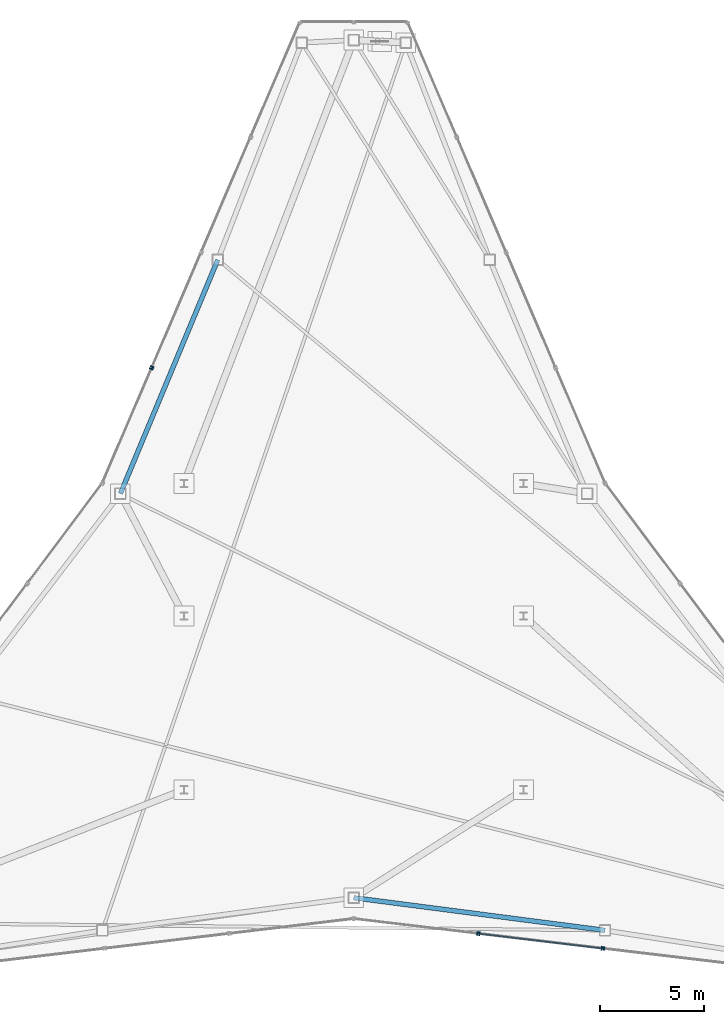
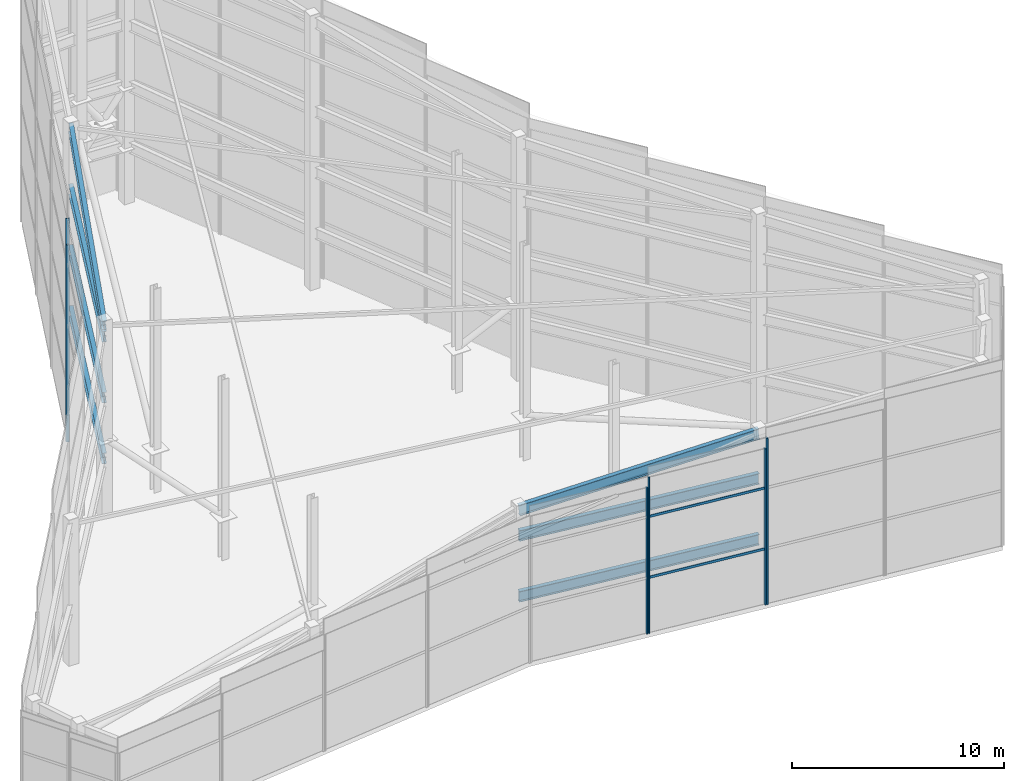
# One storey, part 8 of 17: 8 members, 7 beams, 5 elements without a shape of their own.
"""IFC4 building model written with IfcOpenShell, lengths in metres."""

from ifc_helpers import new_model, si_unit, direction, frame, origin, origin_2d, place, context, subcontext, project, spatial, rectangle, i_section, extrude, source, transform, mapped, material, layer, layer_set, material_profile, profile_set, type_object, type_shapes, element, aggregate, save


model = new_model("IFC4")

# Units and contexts
model_context = context("Model", 3, precision=1e-05, world=origin(), true_north=direction((0.0, 1.0)))
body_context = subcontext(model_context, "Body", "Model", "MODEL_VIEW")
ifc_project = project(units=[si_unit("LENGTHUNIT", "METRE"), si_unit("AREAUNIT", "SQUARE_METRE"), si_unit("VOLUMEUNIT", "CUBIC_METRE"), si_unit("PLANEANGLEUNIT", "RADIAN"), si_unit("MASSUNIT", "GRAM", prefix="KILO")], contexts=[model_context])

# Site, building, storey
site_placement = place(None, origin())
site = spatial("IfcSite", under=ifc_project, at=site_placement, CompositionType="ELEMENT")
building_placement = place(site_placement, origin())
building = spatial("IfcBuilding", under=site, at=building_placement, Name="Varakhsha Concourse Tower", CompositionType="ELEMENT")
storey_placement = place(building_placement, frame((0.0, 0.0, 294.800048828125)))
storey = spatial("IfcBuildingStorey", under=building, at=storey_placement, Name="RF", CompositionType="ELEMENT", Elevation=294.800048828125)

# Beams
ifc_material_1 = material(Name="Structural Steel ASTM A992 Grade 50", Category="steel")
ifc_material_profile_1 = material_profile(ifc_material_1, i_section(OverallWidth=0.22900390625, OverallDepth=0.612060546875, WebThickness=0.011962890625, FlangeThickness=0.02001953125, at=origin_2d()), Name="W24X84")
ifc_profile_set_1 = profile_set([ifc_material_profile_1], Name="Structural Steel ASTM A992 Grade 50")
beam_type = type_object("IfcBeamType", Name="BM-CROWN-W24X84", PredefinedType="BEAM", material=ifc_profile_set_1)
beam_1_placement = place(storey_placement, frame((33.43505859375, 42.008544921875, 13.771240234375), z_axis=(-0.373990719764, -0.898047228675, -0.231607678194), x_axis=(0.923148301278, -0.38444403214, 0.0)))
element("IfcBeam", 1, at=beam_1_placement, inside=storey, type_object=beam_type, Name="Crown Frame Sloped Cap Ring 04", PredefinedType="BEAM", context=body_context, shape_type="SweptSolid", body=[
    extrude(i_section(OverallWidth=0.22900390625, OverallDepth=0.612060546875, WebThickness=0.011962890625, FlangeThickness=0.02001953125, at=origin_2d()), origin(), (0.0, 0.0, 1.0), 12.583984375),
])
for number, where, z_axis, x_axis, name in (
    (2, (33.43505859375, 42.008544921875, 3.199951171875), (-0.38444403214, -0.923148301278, 0.0), (0.923148301278, -0.38444403214, 0.0), "Crown Frame Ring Tier 1 04"),
    (3, (33.43505859375, 42.008544921875, 6.699951171875), (-0.38444403214, -0.923148301278, 0.0), (0.923148301278, -0.38444403214, 0.0), "Crown Frame Ring Tier 2 04"),
    (4, (33.43505859375, 42.008544921875, 10.199951171875), (-0.38444403214, -0.923148301278, 0.0), (0.923148301278, -0.38444403214, 0.0), "Crown Frame Ring Tier 3 04"),
):
    element("IfcBeam", number, at=place(storey_placement, frame(where, z_axis=z_axis, x_axis=x_axis)), inside=storey, type_object=beam_type, Name=name, PredefinedType="BEAM", context=body_context, shape_type="SweptSolid", body=[
        extrude(i_section(OverallWidth=0.22900390625, OverallDepth=0.612060546875, WebThickness=0.011962890625, FlangeThickness=0.02001953125, at=origin_2d()), origin(), (0.0, 0.0, 1.0), 12.241943359375),
    ])
beam_2_placement = place(storey_placement, frame((40.0, 11.18505859375, 8.150634765625), z_axis=(0.987495070376, -0.128088790651, 0.091906189633), x_axis=(0.12863320886, 0.991692239346, 0.0)))
element("IfcBeam", 5, at=beam_2_placement, inside=storey, type_object=beam_type, Name="Crown Frame Sloped Cap Ring 11", PredefinedType="BEAM", context=body_context, shape_type="SweptSolid", body=[
    extrude(i_section(OverallWidth=0.22900390625, OverallDepth=0.612060546875, WebThickness=0.011962890625, FlangeThickness=0.02001953125, at=origin_2d()), origin(), (0.0, 0.0, 1.0), 12.2939453125),
])
for number, where, z_axis, x_axis, name in (
    (6, (40.0, 11.18505859375, 3.199951171875), (0.991692239346, -0.12863320886, 0.0), (0.12863320886, 0.991692239346, 0.0), "Crown Frame Ring Tier 1 11"),
    (7, (40.0, 11.18505859375, 6.699951171875), (0.991692239346, -0.12863320886, 0.0), (0.12863320886, 0.991692239346, 0.0), "Crown Frame Ring Tier 2 11"),
):
    element("IfcBeam", number, at=place(storey_placement, frame(where, z_axis=z_axis, x_axis=x_axis)), inside=storey, type_object=beam_type, Name=name, PredefinedType="BEAM", context=body_context, shape_type="SweptSolid", body=[
        extrude(i_section(OverallWidth=0.22900390625, OverallDepth=0.612060546875, WebThickness=0.011962890625, FlangeThickness=0.02001953125, at=origin_2d()), origin(), (0.0, 0.0, 1.0), 12.241943359375),
    ])

# Curtain wall, member
ifc_material_2 = material(Name="Anodised Bronze Architectural Aluminium AA 6063-T6", Category="aluminium")
ifc_layer = layer(ifc_material_2, 0.219970703125, Name="CW-SYS-07")
ifc_layer_set = layer_set([ifc_layer], Name="Anodised Bronze Architectural Aluminium AA 6063-T6")
curtain_wall_type = type_object("IfcCurtainWallType", Name="CW-SYS-07", PredefinedType="NOTDEFINED", material=ifc_layer_set)
curtain_wall_1_placement = place(storey_placement, origin())
curtain_wall_1 = element("IfcCurtainWall", 8, at=curtain_wall_1_placement, inside=storey, type_object=curtain_wall_type, Name="Slanted Crown Curtain Wall F2-S3", PredefinedType="NOTDEFINED")
ifc_material_profile_2 = material_profile(ifc_material_2, rectangle(XDim=0.06494140625, YDim=0.179931640625, at=origin_2d()), Name="CWM-180X65")
ifc_profile_set_2 = profile_set([ifc_material_profile_2], Name="Anodised Bronze Architectural Aluminium AA 6063-T6")
member_type_1 = type_object("IfcMemberType", Name="CWM-180X65", PredefinedType="MULLION", material=ifc_profile_set_2)
shared_shape_1 = source(origin(), body_context, "Body", "SweptSolid", [
    extrude(rectangle(XDim=0.06494140625, YDim=0.179931640625, at=origin_2d()), origin(), (0.0, 0.0, 1.0), 12.771484375),
])
member_1_placement = place(storey_placement, frame((30.2587890625, 36.830322265625, 0.0), z_axis=(0.0, 0.0, 1.0), x_axis=(0.393840843001, 0.919178649874, 0.0)))
member_1 = element("IfcMember", 9, at=member_1_placement, type_object=member_type_1, Name="CW-RF-F2S3 Mullion 00", PredefinedType="MULLION", context=body_context, shape_type="MappedRepresentation", body=[
    mapped(shared_shape_1, transform((0.0, 0.0, 0.0), scale=1.0)),
])
aggregate(curtain_wall_1, [member_1])

curtain_wall_2_placement = place(storey_placement, origin())
curtain_wall_2 = element("IfcCurtainWall", 10, at=curtain_wall_2_placement, inside=storey, type_object=curtain_wall_type, Name="Slanted Crown Curtain Wall F2-S4", PredefinedType="NOTDEFINED")
shared_shape_2 = source(origin(), body_context, "Body", "SweptSolid", [
    extrude(rectangle(XDim=0.06494140625, YDim=0.179931640625, at=origin_2d()), origin(), (0.0, 0.0, 1.0), 11.32666015625),
])
member_2_placement = place(storey_placement, frame((30.219482421875, 36.73828125, 0.0), z_axis=(0.0, 0.0, 1.0), x_axis=(0.393840843001, 0.919178649874, 0.0)))
member_2 = element("IfcMember", 11, at=member_2_placement, type_object=member_type_1, Name="CW-RF-F2S4 Mullion 01", PredefinedType="MULLION", context=body_context, shape_type="MappedRepresentation", body=[
    mapped(shared_shape_2, transform((0.0, 0.0, 0.0), scale=1.0)),
])
aggregate(curtain_wall_2, [member_2])

curtain_wall_3_placement = place(storey_placement, origin())
curtain_wall_3 = element("IfcCurtainWall", 12, at=curtain_wall_3_placement, inside=storey, type_object=curtain_wall_type, Name="Slanted Crown Curtain Wall F6-S1", PredefinedType="NOTDEFINED")
shared_shape_3 = source(origin(), body_context, "Body", "SweptSolid", [
    extrude(rectangle(XDim=0.06494140625, YDim=0.179931640625, at=origin_2d()), origin(), (0.0, 0.0, 1.0), 8.41015625),
])
member_3_placement = place(storey_placement, frame((45.96826171875, 9.460693359375, 0.0), z_axis=(0.0, 0.0, 1.0), x_axis=(-0.992952896591, 0.118509683792, 0.0)))
member_3 = element("IfcMember", 13, at=member_3_placement, type_object=member_type_1, Name="CW-RF-F6S1 Mullion 00", PredefinedType="MULLION", context=body_context, shape_type="MappedRepresentation", body=[
    mapped(shared_shape_3, transform((0.0, 0.0, 0.0), scale=1.0)),
])
aggregate(curtain_wall_3, [member_3])

# Curtain wall, members
curtain_wall_4_placement = place(storey_placement, origin())
curtain_wall_4 = element("IfcCurtainWall", 14, at=curtain_wall_4_placement, inside=storey, type_object=curtain_wall_type, Name="Slanted Crown Curtain Wall F6-S2", PredefinedType="NOTDEFINED")
shared_shape_4 = source(origin(), body_context, "Body", "SweptSolid", [
    extrude(rectangle(XDim=0.06494140625, YDim=0.179931640625, at=origin_2d()), origin(), (0.0, 0.0, 1.0), 8.983154296875),
])
member_4_placement = place(storey_placement, frame((51.986328125, 8.742431640625, 0.0), z_axis=(0.0, 0.0, 1.0), x_axis=(-0.992951241786, 0.118523548018, 0.0)))
member_4 = element("IfcMember", 15, at=member_4_placement, type_object=member_type_1, Name="CW-RF-F6S2 Mullion 00", PredefinedType="MULLION", context=body_context, shape_type="MappedRepresentation", body=[
    mapped(shared_shape_4, transform((0.0, 0.0, 0.0), scale=1.0)),
])
member_5_placement = place(storey_placement, frame((46.0673828125, 9.448974609375, 0.0), z_axis=(0.0, 0.0, 1.0), x_axis=(-0.992951241786, 0.118523548018, 0.0)))
member_5 = element("IfcMember", 16, at=member_5_placement, type_object=member_type_1, Name="CW-RF-F6S2 Mullion 01", PredefinedType="MULLION", context=body_context, shape_type="MappedRepresentation", body=[
    mapped(shared_shape_4, transform((0.0, 0.0, 0.0), scale=1.0)),
])
ifc_material_profile_3 = material_profile(ifc_material_2, rectangle(XDim=0.06005859375, YDim=0.139892578125, at=origin_2d()), Name="CWT-140X60")
ifc_profile_set_3 = profile_set([ifc_material_profile_3], Name="Anodised Bronze Architectural Aluminium AA 6063-T6")
member_type_2 = type_object("IfcMemberType", Name="CWT-140X60", PredefinedType="USERDEFINED", material=ifc_profile_set_3)
shared_shape_5 = source(origin(), body_context, "Body", "SweptSolid", [
    extrude(rectangle(XDim=0.06005859375, YDim=0.139892578125, at=origin_2d()), origin(), (0.0, 0.0, 1.0), 5.9609375),
])
type_shapes(member_type_2, [shared_shape_5])
member_6_placement = place(storey_placement, frame((51.986328125, 8.742431640625, 3.199951171875), z_axis=(-0.992950678696, 0.118528265309, 0.0), x_axis=(-0.118528265309, -0.992950678696, 0.0)))
member_6 = element("IfcMember", 17, at=member_6_placement, type_object=member_type_2, Name="CW-RF-F6S2 Transom 01", ObjectType="TRANSOM", PredefinedType="USERDEFINED", context=body_context, shape_type="MappedRepresentation", body=[
    mapped(shared_shape_5, transform((0.0, 0.0, 0.0), scale=1.0)),
])
member_7_placement = place(storey_placement, frame((51.986328125, 8.742431640625, 6.699951171875), z_axis=(-0.992950678696, 0.118528265309, 0.0), x_axis=(-0.118528265309, -0.992950678696, 0.0)))
member_7 = element("IfcMember", 18, at=member_7_placement, type_object=member_type_2, Name="CW-RF-F6S2 Transom 02", ObjectType="TRANSOM", PredefinedType="USERDEFINED", context=body_context, shape_type="MappedRepresentation", body=[
    mapped(shared_shape_5, transform((0.0, 0.0, 0.0), scale=1.0)),
])
aggregate(curtain_wall_4, [member_4, member_5, member_6, member_7])

# Curtain wall, member
curtain_wall_5_placement = place(storey_placement, origin())
curtain_wall_5 = element("IfcCurtainWall", 19, at=curtain_wall_5_placement, inside=storey, type_object=curtain_wall_type, Name="Slanted Crown Curtain Wall F6-S3", PredefinedType="NOTDEFINED")
shared_shape_6 = source(origin(), body_context, "Body", "SweptSolid", [
    extrude(rectangle(XDim=0.06494140625, YDim=0.179931640625, at=origin_2d()), origin(), (0.0, 0.0, 1.0), 9.556396484375),
])
type_shapes(member_type_1, [shared_shape_1, shared_shape_2, shared_shape_3, shared_shape_4, shared_shape_6])
member_8_placement = place(storey_placement, frame((52.08544921875, 8.730712890625, 0.0), z_axis=(0.0, 0.0, 1.0), x_axis=(-0.992952896591, 0.118509683792, 0.0)))
member_8 = element("IfcMember", 20, at=member_8_placement, type_object=member_type_1, Name="CW-RF-F6S3 Mullion 01", PredefinedType="MULLION", context=body_context, shape_type="MappedRepresentation", body=[
    mapped(shared_shape_6, transform((0.0, 0.0, 0.0), scale=1.0)),
])
aggregate(curtain_wall_5, [member_8])

save(model, "model.ifc")
